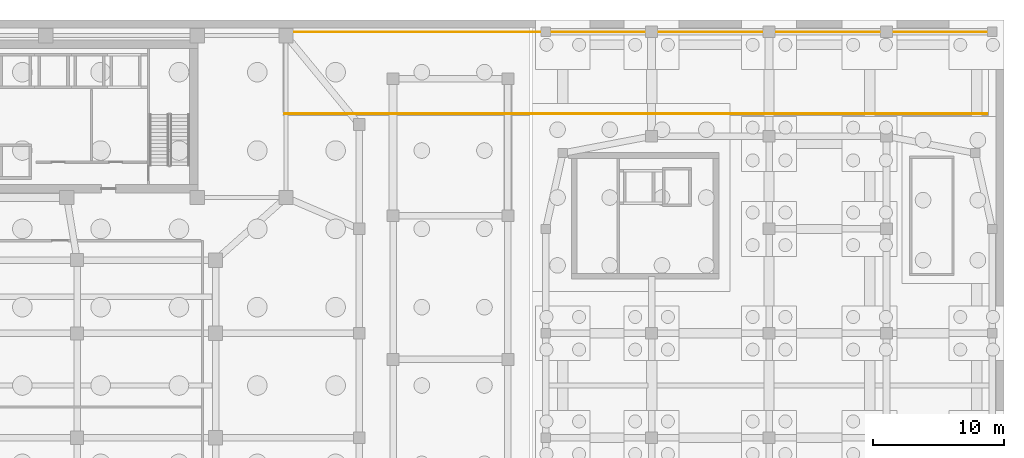
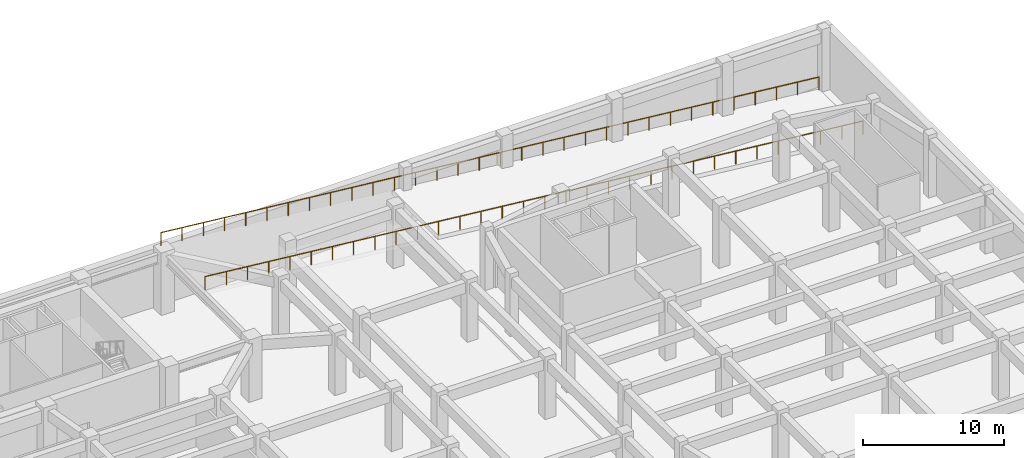
# One storey, part 17 of 18: 2 railings.
"""IFC4 building model written with IfcOpenShell, lengths in metres."""

from ifc_helpers import new_model, si_unit, direction, frame, origin, origin_2d, place, context, subcontext, project, spatial, circle, extrude, material, type_object, element, save


model = new_model("IFC4")

# Units and contexts
model_context = context("Model", 3, precision=1e-05, world=origin(), true_north=direction((0.0, 1.0)))
body_context = subcontext(model_context, "Body", "Model", "MODEL_VIEW")
ifc_project = project(units=[si_unit("LENGTHUNIT", "METRE"), si_unit("AREAUNIT", "SQUARE_METRE"), si_unit("VOLUMEUNIT", "CUBIC_METRE"), si_unit("PLANEANGLEUNIT", "RADIAN"), si_unit("MASSUNIT", "GRAM", prefix="KILO")], contexts=[model_context])

# Site, building, storey
site_placement = place(None, origin())
site = spatial("IfcSite", under=ifc_project, at=site_placement, CompositionType="ELEMENT")
building_placement = place(site_placement, origin())
building = spatial("IfcBuilding", under=site, at=building_placement, Name="Saevonmaru Cultural Tower", CompositionType="ELEMENT")
storey_placement = place(building_placement, frame((0.0, 0.0, -10.800048828125)))
storey = spatial("IfcBuildingStorey", under=building, at=storey_placement, Name="B2", CompositionType="ELEMENT", Elevation=-10.800048828125)

# Railings
ifc_material = material(Name="Satin Bronze Anodised Aluminium", Category="aluminium")
railing_type = type_object("IfcRailingType", Name="RL-BALUSTRADE-1150", PredefinedType="BALUSTRADE", material=ifc_material)
railing_1_placement = place(storey_placement, frame((106.89990234375, 48.820068359375, 0.010009765625)))
element("IfcRailing", 1, at=railing_1_placement, inside=storey, type_object=railing_type, Name="B2 Vehicle Ramp VR-2 Sloped Flight Guardrail S", PredefinedType="BALUSTRADE", context=body_context, shape_type="SweptSolid", body=[
    extrude(circle(Radius=0.02392578125, at=origin_2d()), frame((0.0, 0.0, 1.1259765625), z_axis=(-0.995036921963, 0.0, 0.099506401451), x_axis=(0.0, -1.0, 0.0)), (0.0, 0.0, 1.0), 54.068115234375),
    extrude(circle(Radius=0.02099609375, at=origin_2d()), origin(), (0.0, 0.0, 1.0), 1.101806640625),
    extrude(circle(Radius=0.02099609375, at=origin_2d()), frame((-1.735595703125, 0.0, 0.173583984375)), (0.0, 0.0, 1.0), 1.101806640625),
    extrude(circle(Radius=0.02099609375, at=origin_2d()), frame((-3.470947265625, 0.0, 0.34716796875)), (0.0, 0.0, 1.0), 1.101806640625),
    extrude(circle(Radius=0.02099609375, at=origin_2d()), frame((-5.20654296875, 0.0, 0.520751953125)), (0.0, 0.0, 1.0), 1.101806640625),
    extrude(circle(Radius=0.02099609375, at=origin_2d()), frame((-6.94189453125, 0.0, 0.694091796875)), (0.0, 0.0, 1.0), 1.101806640625),
    extrude(circle(Radius=0.02099609375, at=origin_2d()), frame((-8.677490234375, 0.0, 0.86767578125)), (0.0, 0.0, 1.0), 1.101806640625),
    extrude(circle(Radius=0.02099609375, at=origin_2d()), frame((-10.412841796875, 0.0, 1.041259765625)), (0.0, 0.0, 1.0), 1.101806640625),
    extrude(circle(Radius=0.02099609375, at=origin_2d()), frame((-12.1484375, 0.0, 1.21484375)), (0.0, 0.0, 1.0), 1.101806640625),
    extrude(circle(Radius=0.02099609375, at=origin_2d()), frame((-13.8837890625, 0.0, 1.388427734375)), (0.0, 0.0, 1.0), 1.101806640625),
    extrude(circle(Radius=0.02099609375, at=origin_2d()), frame((-15.619384765625, 0.0, 1.56201171875)), (0.0, 0.0, 1.0), 1.101806640625),
    extrude(circle(Radius=0.02099609375, at=origin_2d()), frame((-17.354736328125, 0.0, 1.735595703125)), (0.0, 0.0, 1.0), 1.101806640625),
    extrude(circle(Radius=0.02099609375, at=origin_2d()), frame((-19.09033203125, 0.0, 1.9091796875)), (0.0, 0.0, 1.0), 1.101806640625),
    extrude(circle(Radius=0.02099609375, at=origin_2d()), frame((-20.82568359375, 0.0, 2.08251953125)), (0.0, 0.0, 1.0), 1.101806640625),
    extrude(circle(Radius=0.02099609375, at=origin_2d()), frame((-22.561279296875, 0.0, 2.256103515625)), (0.0, 0.0, 1.0), 1.101806640625),
    extrude(circle(Radius=0.02099609375, at=origin_2d()), frame((-24.296630859375, 0.0, 2.4296875)), (0.0, 0.0, 1.0), 1.101806640625),
    extrude(circle(Radius=0.02099609375, at=origin_2d()), frame((-26.0322265625, 0.0, 2.603271484375)), (0.0, 0.0, 1.0), 1.101806640625),
    extrude(circle(Radius=0.02099609375, at=origin_2d()), frame((-27.767578125, 0.0, 2.77685546875)), (0.0, 0.0, 1.0), 1.101806640625),
    extrude(circle(Radius=0.02099609375, at=origin_2d()), frame((-29.503173828125, 0.0, 2.950439453125)), (0.0, 0.0, 1.0), 1.101806640625),
    extrude(circle(Radius=0.02099609375, at=origin_2d()), frame((-31.238525390625, 0.0, 3.1240234375)), (0.0, 0.0, 1.0), 1.101806640625),
    extrude(circle(Radius=0.02099609375, at=origin_2d()), frame((-32.97412109375, 0.0, 3.297607421875)), (0.0, 0.0, 1.0), 1.101806640625),
    extrude(circle(Radius=0.02099609375, at=origin_2d()), frame((-34.70947265625, 0.0, 3.470947265625)), (0.0, 0.0, 1.0), 1.101806640625),
    extrude(circle(Radius=0.02099609375, at=origin_2d()), frame((-36.445068359375, 0.0, 3.64453125)), (0.0, 0.0, 1.0), 1.101806640625),
    extrude(circle(Radius=0.02099609375, at=origin_2d()), frame((-38.180419921875, 0.0, 3.818115234375)), (0.0, 0.0, 1.0), 1.101806640625),
    extrude(circle(Radius=0.02099609375, at=origin_2d()), frame((-39.916015625, 0.0, 3.99169921875)), (0.0, 0.0, 1.0), 1.101806640625),
    extrude(circle(Radius=0.02099609375, at=origin_2d()), frame((-41.6513671875, 0.0, 4.165283203125)), (0.0, 0.0, 1.0), 1.101806640625),
    extrude(circle(Radius=0.02099609375, at=origin_2d()), frame((-43.386962890625, 0.0, 4.3388671875)), (0.0, 0.0, 1.0), 1.101806640625),
    extrude(circle(Radius=0.02099609375, at=origin_2d()), frame((-45.122314453125, 0.0, 4.512451171875)), (0.0, 0.0, 1.0), 1.101806640625),
    extrude(circle(Radius=0.02099609375, at=origin_2d()), frame((-46.85791015625, 0.0, 4.68603515625)), (0.0, 0.0, 1.0), 1.101806640625),
    extrude(circle(Radius=0.02099609375, at=origin_2d()), frame((-48.59326171875, 0.0, 4.859375)), (0.0, 0.0, 1.0), 1.101806640625),
    extrude(circle(Radius=0.02099609375, at=origin_2d()), frame((-50.328857421875, 0.0, 5.032958984375)), (0.0, 0.0, 1.0), 1.101806640625),
    extrude(circle(Radius=0.02099609375, at=origin_2d()), frame((-52.064208984375, 0.0, 5.20654296875)), (0.0, 0.0, 1.0), 1.101806640625),
    extrude(circle(Radius=0.02099609375, at=origin_2d()), frame((-53.7998046875, 0.0, 5.380126953125)), (0.0, 0.0, 1.0), 1.101806640625),
])
railing_2_placement = place(storey_placement, frame((106.89990234375, 55.080078125, 0.010009765625)))
element("IfcRailing", 2, at=railing_2_placement, inside=storey, type_object=railing_type, Name="B2 Vehicle Ramp VR-2 Sloped Flight Guardrail N", PredefinedType="BALUSTRADE", context=body_context, shape_type="SweptSolid", body=[
    extrude(circle(Radius=0.02392578125, at=origin_2d()), frame((0.0, 0.0, 1.1259765625), z_axis=(-0.995036921963, 0.0, 0.099506401451), x_axis=(0.0, -1.0, 0.0)), (0.0, 0.0, 1.0), 54.068115234375),
    extrude(circle(Radius=0.02099609375, at=origin_2d()), origin(), (0.0, 0.0, 1.0), 1.101806640625),
    extrude(circle(Radius=0.02099609375, at=origin_2d()), frame((-1.735595703125, 0.0, 0.173583984375)), (0.0, 0.0, 1.0), 1.101806640625),
    extrude(circle(Radius=0.02099609375, at=origin_2d()), frame((-3.470947265625, 0.0, 0.34716796875)), (0.0, 0.0, 1.0), 1.101806640625),
    extrude(circle(Radius=0.02099609375, at=origin_2d()), frame((-5.20654296875, 0.0, 0.520751953125)), (0.0, 0.0, 1.0), 1.101806640625),
    extrude(circle(Radius=0.02099609375, at=origin_2d()), frame((-6.94189453125, 0.0, 0.694091796875)), (0.0, 0.0, 1.0), 1.101806640625),
    extrude(circle(Radius=0.02099609375, at=origin_2d()), frame((-8.677490234375, 0.0, 0.86767578125)), (0.0, 0.0, 1.0), 1.101806640625),
    extrude(circle(Radius=0.02099609375, at=origin_2d()), frame((-10.412841796875, 0.0, 1.041259765625)), (0.0, 0.0, 1.0), 1.101806640625),
    extrude(circle(Radius=0.02099609375, at=origin_2d()), frame((-12.1484375, 0.0, 1.21484375)), (0.0, 0.0, 1.0), 1.101806640625),
    extrude(circle(Radius=0.02099609375, at=origin_2d()), frame((-13.8837890625, 0.0, 1.388427734375)), (0.0, 0.0, 1.0), 1.101806640625),
    extrude(circle(Radius=0.02099609375, at=origin_2d()), frame((-15.619384765625, 0.0, 1.56201171875)), (0.0, 0.0, 1.0), 1.101806640625),
    extrude(circle(Radius=0.02099609375, at=origin_2d()), frame((-17.354736328125, 0.0, 1.735595703125)), (0.0, 0.0, 1.0), 1.101806640625),
    extrude(circle(Radius=0.02099609375, at=origin_2d()), frame((-19.09033203125, 0.0, 1.9091796875)), (0.0, 0.0, 1.0), 1.101806640625),
    extrude(circle(Radius=0.02099609375, at=origin_2d()), frame((-20.82568359375, 0.0, 2.08251953125)), (0.0, 0.0, 1.0), 1.101806640625),
    extrude(circle(Radius=0.02099609375, at=origin_2d()), frame((-22.561279296875, 0.0, 2.256103515625)), (0.0, 0.0, 1.0), 1.101806640625),
    extrude(circle(Radius=0.02099609375, at=origin_2d()), frame((-24.296630859375, 0.0, 2.4296875)), (0.0, 0.0, 1.0), 1.101806640625),
    extrude(circle(Radius=0.02099609375, at=origin_2d()), frame((-26.0322265625, 0.0, 2.603271484375)), (0.0, 0.0, 1.0), 1.101806640625),
    extrude(circle(Radius=0.02099609375, at=origin_2d()), frame((-27.767578125, 0.0, 2.77685546875)), (0.0, 0.0, 1.0), 1.101806640625),
    extrude(circle(Radius=0.02099609375, at=origin_2d()), frame((-29.503173828125, 0.0, 2.950439453125)), (0.0, 0.0, 1.0), 1.101806640625),
    extrude(circle(Radius=0.02099609375, at=origin_2d()), frame((-31.238525390625, 0.0, 3.1240234375)), (0.0, 0.0, 1.0), 1.101806640625),
    extrude(circle(Radius=0.02099609375, at=origin_2d()), frame((-32.97412109375, 0.0, 3.297607421875)), (0.0, 0.0, 1.0), 1.101806640625),
    extrude(circle(Radius=0.02099609375, at=origin_2d()), frame((-34.70947265625, 0.0, 3.470947265625)), (0.0, 0.0, 1.0), 1.101806640625),
    extrude(circle(Radius=0.02099609375, at=origin_2d()), frame((-36.445068359375, 0.0, 3.64453125)), (0.0, 0.0, 1.0), 1.101806640625),
    extrude(circle(Radius=0.02099609375, at=origin_2d()), frame((-38.180419921875, 0.0, 3.818115234375)), (0.0, 0.0, 1.0), 1.101806640625),
    extrude(circle(Radius=0.02099609375, at=origin_2d()), frame((-39.916015625, 0.0, 3.99169921875)), (0.0, 0.0, 1.0), 1.101806640625),
    extrude(circle(Radius=0.02099609375, at=origin_2d()), frame((-41.6513671875, 0.0, 4.165283203125)), (0.0, 0.0, 1.0), 1.101806640625),
    extrude(circle(Radius=0.02099609375, at=origin_2d()), frame((-43.386962890625, 0.0, 4.3388671875)), (0.0, 0.0, 1.0), 1.101806640625),
    extrude(circle(Radius=0.02099609375, at=origin_2d()), frame((-45.122314453125, 0.0, 4.512451171875)), (0.0, 0.0, 1.0), 1.101806640625),
    extrude(circle(Radius=0.02099609375, at=origin_2d()), frame((-46.85791015625, 0.0, 4.68603515625)), (0.0, 0.0, 1.0), 1.101806640625),
    extrude(circle(Radius=0.02099609375, at=origin_2d()), frame((-48.59326171875, 0.0, 4.859375)), (0.0, 0.0, 1.0), 1.101806640625),
    extrude(circle(Radius=0.02099609375, at=origin_2d()), frame((-50.328857421875, 0.0, 5.032958984375)), (0.0, 0.0, 1.0), 1.101806640625),
    extrude(circle(Radius=0.02099609375, at=origin_2d()), frame((-52.064208984375, 0.0, 5.20654296875)), (0.0, 0.0, 1.0), 1.101806640625),
    extrude(circle(Radius=0.02099609375, at=origin_2d()), frame((-53.7998046875, 0.0, 5.380126953125)), (0.0, 0.0, 1.0), 1.101806640625),
])

save(model, "model.ifc")
